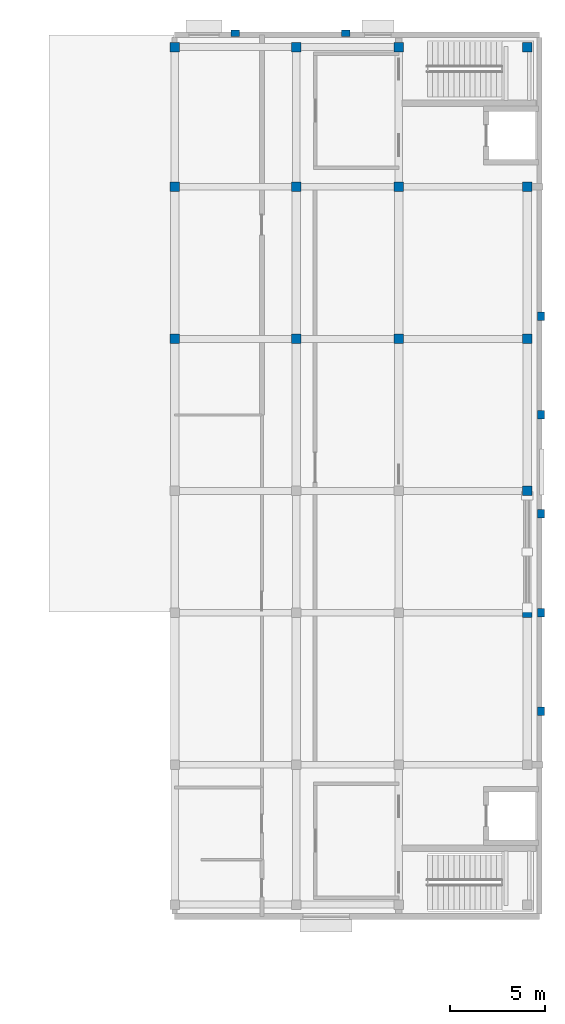
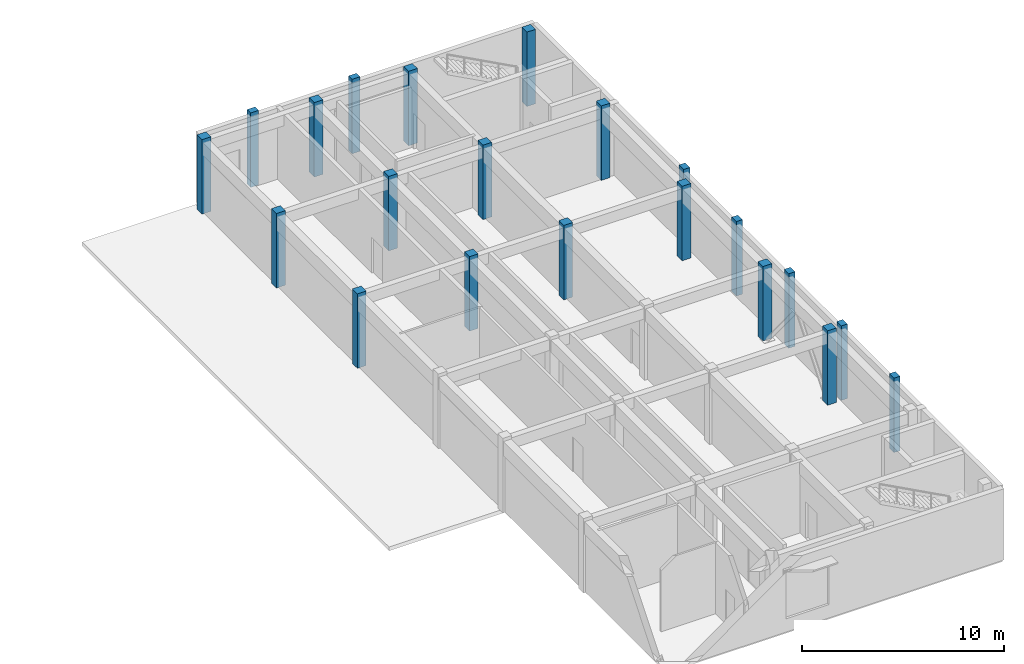
# One storey, part 2 of 11: 21 columns.
"""IFC4 building model written with IfcOpenShell, lengths in metres."""

from ifc_helpers import new_model, si_unit, direction, frame, origin, origin_2d, place, context, subcontext, project, spatial, rectangle, extrude, material, material_profile, profile_set, type_object, element, save


model = new_model("IFC4")

# Units and contexts
model_context = context("Model", 3, precision=1e-05, world=origin(), true_north=direction((0.0, 1.0)))
body_context = subcontext(model_context, "Body", "Model", "MODEL_VIEW")
ifc_project = project(units=[si_unit("LENGTHUNIT", "METRE"), si_unit("AREAUNIT", "SQUARE_METRE"), si_unit("VOLUMEUNIT", "CUBIC_METRE"), si_unit("PLANEANGLEUNIT", "RADIAN"), si_unit("MASSUNIT", "GRAM", prefix="KILO")], contexts=[model_context])

# Site, building, storey
site_placement = place(None, origin())
site = spatial("IfcSite", under=ifc_project, at=site_placement, CompositionType="ELEMENT")
building_placement = place(site_placement, origin())
building = spatial("IfcBuilding", under=site, at=building_placement, Name="Cinchona Park Media Centre", CompositionType="ELEMENT")
storey_placement = place(building_placement, frame((0.0, 0.0, 24.89990234375)))
storey = spatial("IfcBuildingStorey", under=building, at=storey_placement, Name="L05", CompositionType="ELEMENT", Elevation=24.89990234375)

# Columns
ifc_material_1 = material(Name="Concrete C40/50", Category="concrete")
ifc_material_profile_1 = material_profile(ifc_material_1, rectangle(XDim=0.5, YDim=0.5, at=origin_2d()), Name="RC 500X500")
ifc_profile_set_1 = profile_set([ifc_material_profile_1], Name="Concrete C40/50")
column_type_1 = type_object("IfcColumnType", Name="COL-C04-RC500X500", PredefinedType="COLUMN", material=ifc_profile_set_1)
for number, where, z_axis, x_axis, name in (
    (1, (152.800048828125, 102.0, 0.0), (0.0, 0.0, 1.0), (1.0, 0.0, 0.0), "Column C04 L05"),
    (2, (152.800048828125, 110.0, 0.0), (0.0, 0.0, 1.0), (1.0, 0.0, 0.0), "Column C04 L05"),
    (3, (152.800048828125, 117.360107421875, 0.0), (0.0, 0.0, 1.0), (1.0, 0.0, 0.0), "Column C04 L05"),
    (4, (159.199951171875, 102.0, 0.0), (0.0, 0.0, 1.0), (1.0, 0.0, 0.0), "Column C04 L05"),
    (5, (159.199951171875, 110.0, 0.0), (0.0, 0.0, 1.0), (1.0, 0.0, 0.0), "Column C04 L05"),
    (6, (159.199951171875, 117.360107421875, 0.0), (0.0, 0.0, 1.0), (1.0, 0.0, 0.0), "Column C04 L05"),
    (7, (164.60009765625, 102.0, 0.0), (0.0, 0.0, 1.0), (1.0, 0.0, 0.0), "Column C04 L05"),
    (8, (164.60009765625, 110.0, 0.0), (0.0, 0.0, 1.0), (1.0, 0.0, 0.0), "Column C04 L05"),
    (9, (164.60009765625, 117.360107421875, 0.0), (0.0, 0.0, 1.0), (1.0, 0.0, 0.0), "Column C04 L05"),
    (10, (171.360107421875, 87.60009765625, 0.0), (0.0, 0.0, 1.0), (1.0, 0.0, 0.0), "Column C04 L05"),
    (11, (171.360107421875, 94.0, 0.0), (0.0, 0.0, 1.0), (1.0, 0.0, 0.0), "Column C04 L05"),
    (12, (171.360107421875, 102.0, 0.0), (0.0, 0.0, 1.0), (1.0, 0.0, 0.0), "Column C04 L05"),
    (13, (171.360107421875, 110.0, 0.0), (0.0, 0.0, 1.0), (1.0, 0.0, 0.0), "Column C04 L05"),
    (14, (171.360107421875, 117.360107421875, 0.0), (0.0, 0.0, 1.0), (1.0, 0.0, 0.0), "Column C04 L05"),
):
    element("IfcColumn", number, at=place(storey_placement, frame(where, z_axis=z_axis, x_axis=x_axis)), inside=storey, type_object=column_type_1, Name=name, PredefinedType="COLUMN", context=body_context, shape_type="SweptSolid", body=[
        extrude(rectangle(XDim=0.5, YDim=0.5, at=origin_2d()), origin(), (0.0, 0.0, 1.0), 4.5),
    ])
ifc_material_2 = material(Name="Concrete C40/50", Category="concrete")
ifc_material_profile_2 = material_profile(ifc_material_2, rectangle(XDim=0.35009765625, YDim=0.449951171875, at=origin_2d()), Name="RC 350X450")
ifc_profile_set_2 = profile_set([ifc_material_profile_2], Name="Concrete C40/50")
column_type_2 = type_object("IfcColumnType", Name="COL-CP01-RC350X450", PredefinedType="PILASTER", material=ifc_profile_set_2)
for number, where, z_axis, x_axis, name in (
    (15, (172.080078125, 82.39990234375, 0.0), (0.0, 0.0, 1.0), (1.0, 0.0, 0.0), "Pilaster CP01 L05"),
    (16, (172.080078125, 87.60009765625, 0.0), (0.0, 0.0, 1.0), (1.0, 0.0, 0.0), "Pilaster CP01 L05"),
    (17, (172.080078125, 92.800048828125, 0.0), (0.0, 0.0, 1.0), (1.0, 0.0, 0.0), "Pilaster CP01 L05"),
    (18, (172.080078125, 98.0, 0.0), (0.0, 0.0, 1.0), (1.0, 0.0, 0.0), "Pilaster CP01 L05"),
    (19, (172.080078125, 103.199951171875, 0.0), (0.0, 0.0, 1.0), (1.0, 0.0, 0.0), "Pilaster CP01 L05"),
    (20, (156.0, 118.080078125, 0.0), (0.0, 0.0, 1.0), (0.0, 1.0, 0.0), "Pilaster CP01 L05"),
    (21, (161.800048828125, 118.080078125, 0.0), (0.0, 0.0, 1.0), (0.0, 1.0, 0.0), "Pilaster CP01 L05"),
):
    element("IfcColumn", number, at=place(storey_placement, frame(where, z_axis=z_axis, x_axis=x_axis)), inside=storey, type_object=column_type_2, Name=name, PredefinedType="PILASTER", context=body_context, shape_type="SweptSolid", body=[
        extrude(rectangle(XDim=0.35009765625, YDim=0.449951171875, at=origin_2d()), origin(), (0.0, 0.0, 1.0), 4.5),
    ])

save(model, "model.ifc")
